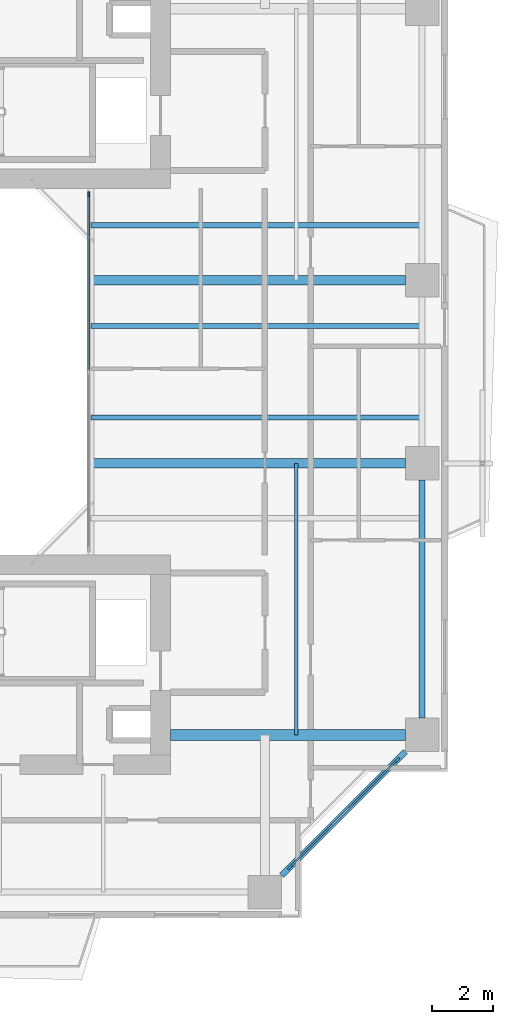
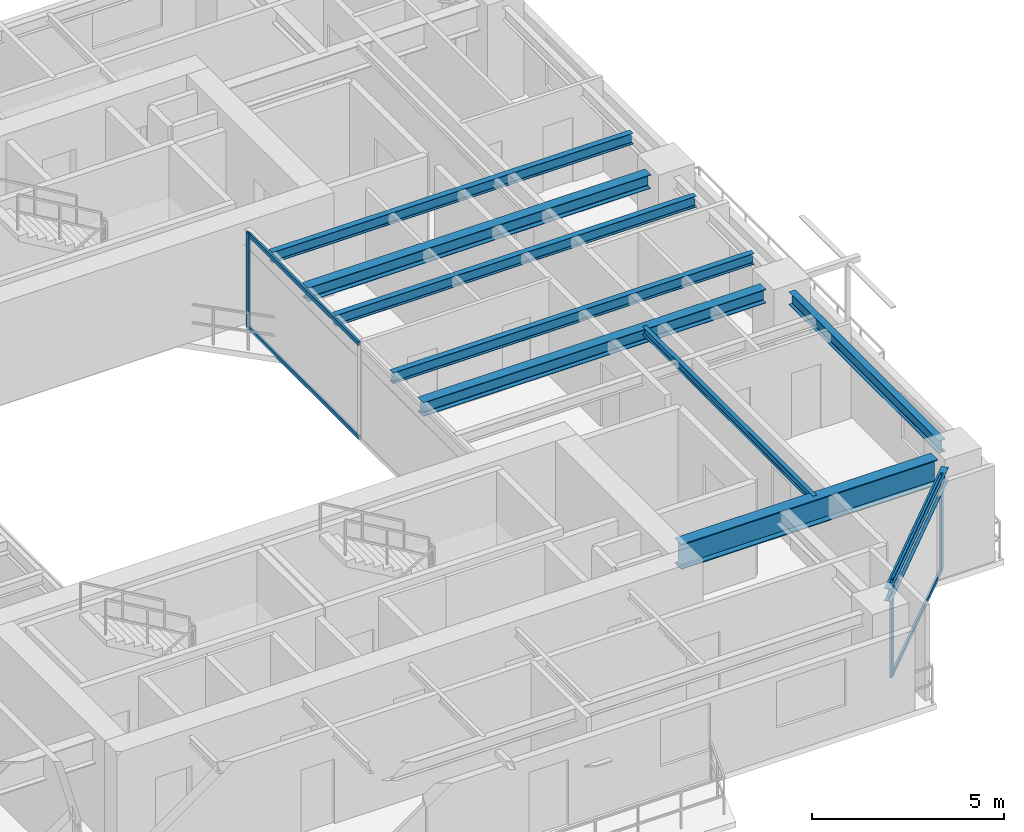
# One storey, part 6 of 16: 9 beams, 7 members, 2 elements without a shape of their own.
"""IFC4 building model written with IfcOpenShell, lengths in metres."""

from ifc_helpers import new_model, si_unit, direction, frame, origin, origin_2d, place, context, subcontext, project, spatial, rectangle, i_section, extrude, source, transform, mapped, material, layer, layer_set, material_profile, profile_set, type_object, element, aggregate, save


model = new_model("IFC4")

# Units and contexts
model_context = context("Model", 3, precision=1e-05, world=origin(), true_north=direction((0.0, 1.0)))
body_context = subcontext(model_context, "Body", "Model", "MODEL_VIEW")
ifc_project = project(units=[si_unit("LENGTHUNIT", "METRE"), si_unit("AREAUNIT", "SQUARE_METRE"), si_unit("VOLUMEUNIT", "CUBIC_METRE"), si_unit("PLANEANGLEUNIT", "RADIAN"), si_unit("MASSUNIT", "GRAM", prefix="KILO"), si_unit("THERMODYNAMICTEMPERATUREUNIT", "KELVIN"), si_unit("POWERUNIT", "WATT")], contexts=[model_context])

# Site, building, storey
site_placement = place(None, origin())
site = spatial("IfcSite", under=ifc_project, at=site_placement, CompositionType="ELEMENT")
building_placement = place(site_placement, origin())
building = spatial("IfcBuilding", under=site, at=building_placement, Name="Qiaomeng Ring Towers", CompositionType="ELEMENT")
storey_placement = place(building_placement, frame((0.0, 0.0, 136.0)))
storey = spatial("IfcBuildingStorey", under=building, at=storey_placement, Name="L39", CompositionType="ELEMENT", Elevation=136.0)

# Beams
ifc_material_1 = material(Name="Steel Q355B", Category="steel")
ifc_material_profile_1 = material_profile(ifc_material_1, i_section(OverallWidth=0.199951171875, OverallDepth=0.39990234375, WebThickness=0.008056640625, FlangeThickness=0.012939453125, FilletRadius=0.01611328125, at=origin_2d()), Name="HN 400x200x8x13")
ifc_profile_set_1 = profile_set([ifc_material_profile_1], Name="Steel Q355B")
beam_type_1 = type_object("IfcBeamType", Name="STR-BM-HN400", PredefinedType="SPANDREL", material=ifc_profile_set_1)
shared_shape_1 = source(origin(), body_context, "Body", "SweptSolid", [
    extrude(i_section(OverallWidth=0.199951171875, OverallDepth=0.39990234375, WebThickness=0.008056640625, FlangeThickness=0.012939453125, FilletRadius=0.01611328125, at=origin_2d()), origin(), (0.0, 0.0, 1.0), 5.729736328125),
])
beam_1_placement = place(storey_placement, frame((31.44921875, 6.499267578125, 2.830078125), z_axis=(0.707106781187, 0.707106781187, 0.0), x_axis=(-0.707106781187, 0.707106781187, 0.0)))
element("IfcBeam", 1, at=beam_1_placement, inside=storey, type_object=beam_type_1, Name="L39 beam STR-SP-L39-T1-S2-E1", PredefinedType="SPANDREL", context=body_context, shape_type="MappedRepresentation", body=[
    mapped(shared_shape_1, transform((0.0, 0.0, 0.0), x_axis=(1.0, 0.0, 0.0), y_axis=(0.0, 1.0, 0.0), z_axis=(0.0, 0.0, 1.0), scale=1.0)),
])
shared_shape_2 = source(origin(), body_context, "Body", "SweptSolid", [
    extrude(i_section(OverallWidth=0.199951171875, OverallDepth=0.39990234375, WebThickness=0.008056640625, FlangeThickness=0.012939453125, FilletRadius=0.01611328125, at=origin_2d()), origin(), (0.0, 0.0, 1.0), 7.802001953125),
])
beam_2_placement = place(storey_placement, frame((36.050048828125, 11.64892578125, 2.830078125), z_axis=(0.0, 1.0, 0.0), x_axis=(-1.0, 0.0, 0.0)))
element("IfcBeam", 2, at=beam_2_placement, inside=storey, type_object=beam_type_1, Name="L39 beam STR-SP-L39-T1-E1-E2", PredefinedType="SPANDREL", context=body_context, shape_type="MappedRepresentation", body=[
    mapped(shared_shape_2, transform((0.0, 0.0, 0.0), x_axis=(1.0, 0.0, 0.0), y_axis=(0.0, 1.0, 0.0), z_axis=(0.0, 0.0, 1.0), scale=1.0)),
])
ifc_material_2 = material(Name="Steel Q390GJC", Category="steel")
ifc_material_profile_2 = material_profile(ifc_material_2, i_section(OverallWidth=0.35009765625, OverallDepth=0.800048828125, WebThickness=0.01611328125, FlangeThickness=0.028076171875, at=origin_2d()), Name="WH 800x350x16x28")
ifc_profile_set_2 = profile_set([ifc_material_profile_2], Name="Steel Q390GJC")
beam_type_2 = type_object("IfcBeamType", Name="STR-BM-WH800", PredefinedType="BEAM", material=ifc_profile_set_2)
shared_shape_3 = source(origin(), body_context, "Body", "SweptSolid", [
    extrude(i_section(OverallWidth=0.35009765625, OverallDepth=0.800048828125, WebThickness=0.01611328125, FlangeThickness=0.028076171875, at=origin_2d()), origin(), (0.0, 0.0, 1.0), 7.700927734375),
])
beam_3_placement = place(storey_placement, frame((27.800048828125, 11.10009765625, 2.6298828125), z_axis=(1.0, 0.0, 0.0), x_axis=(0.0, 1.0, 0.0)))
element("IfcBeam", 3, at=beam_3_placement, inside=storey, type_object=beam_type_2, Name="L39 beam STR-BM-L39-T1-RAD-E1", PredefinedType="BEAM", context=body_context, shape_type="MappedRepresentation", body=[
    mapped(shared_shape_3, transform((0.0, 0.0, 0.0), x_axis=(1.0, 0.0, 0.0), y_axis=(0.0, 1.0, 0.0), z_axis=(0.0, 0.0, 1.0), scale=1.0)),
])
ifc_material_profile_3 = material_profile(ifc_material_1, i_section(OverallWidth=0.300048828125, OverallDepth=0.43994140625, WebThickness=0.010986328125, FlangeThickness=0.01806640625, FilletRadius=0.02392578125, at=origin_2d()), Name="HM 440x300x11x18")
ifc_profile_set_3 = profile_set([ifc_material_profile_3], Name="Steel Q355B")
beam_type_3 = type_object("IfcBeamType", Name="STR-BM-HM440", PredefinedType="BEAM", material=ifc_profile_set_3)
shared_shape_4 = source(origin(), body_context, "Body", "SweptSolid", [
    extrude(i_section(OverallWidth=0.300048828125, OverallDepth=0.43994140625, WebThickness=0.010986328125, FlangeThickness=0.01806640625, FilletRadius=0.02392578125, at=origin_2d()), origin(), (0.0, 0.0, 1.0), 10.301025390625),
])
for number, where, z_axis, x_axis, name in (
    (4, (25.199951171875, 20.0, 2.81005859375), (1.0, 0.0, 0.0), (0.0, 1.0, 0.0), "L39 beam STR-BM-L39-T1-RAD-E2"),
    (5, (25.199951171875, 26.0, 2.81005859375), (1.0, 0.0, 0.0), (0.0, 1.0, 0.0), "L39 beam STR-BM-L39-T1-RAD-E3"),
):
    element("IfcBeam", number, at=place(storey_placement, frame(where, z_axis=z_axis, x_axis=x_axis)), inside=storey, type_object=beam_type_3, Name=name, PredefinedType="BEAM", context=body_context, shape_type="MappedRepresentation", body=[
        mapped(shared_shape_4, transform((0.0, 0.0, 0.0), x_axis=(1.0, 0.0, 0.0), y_axis=(0.0, 1.0, 0.0), z_axis=(0.0, 0.0, 1.0), scale=1.0)),
    ])
ifc_material_profile_4 = material_profile(ifc_material_1, i_section(OverallWidth=0.175048828125, OverallDepth=0.35009765625, WebThickness=0.007080078125, FlangeThickness=0.010986328125, FilletRadius=0.013916015625, at=origin_2d()), Name="HN 350x175x7x11")
ifc_profile_set_4 = profile_set([ifc_material_profile_4], Name="Steel Q355B")
beam_type_4 = type_object("IfcBeamType", Name="STR-BM-HN350", PredefinedType="JOIST", material=ifc_profile_set_4)
shared_shape_5 = source(origin(), body_context, "Body", "SweptSolid", [
    extrude(i_section(OverallWidth=0.175048828125, OverallDepth=0.35009765625, WebThickness=0.007080078125, FlangeThickness=0.010986328125, FilletRadius=0.013916015625, at=origin_2d()), origin(), (0.0, 0.0, 1.0), 10.85009765625),
])
for number, where, z_axis, x_axis, name in (
    (6, (25.199951171875, 21.5, 2.85498046875), (1.0, 0.0, 0.0), (0.0, 1.0, 0.0), "L39 beam STR-JST-L39-T1E-2"),
    (7, (25.199951171875, 24.5, 2.85498046875), (1.0, 0.0, 0.0), (0.0, 1.0, 0.0), "L39 beam STR-JST-L39-T1E-3"),
    (8, (25.199951171875, 27.800048828125, 2.85498046875), (1.0, 0.0, 0.0), (0.0, 1.0, 0.0), "L39 beam STR-JST-L39-T1E-4"),
):
    element("IfcBeam", number, at=place(storey_placement, frame(where, z_axis=z_axis, x_axis=x_axis)), inside=storey, type_object=beam_type_4, Name=name, PredefinedType="JOIST", context=body_context, shape_type="MappedRepresentation", body=[
        mapped(shared_shape_5, transform((0.0, 0.0, 0.0), x_axis=(1.0, 0.0, 0.0), y_axis=(0.0, 1.0, 0.0), z_axis=(0.0, 0.0, 1.0), scale=1.0)),
    ])
ifc_material_profile_5 = material_profile(ifc_material_1, i_section(OverallWidth=0.125, OverallDepth=0.25, WebThickness=0.006103515625, FlangeThickness=0.009033203125, FilletRadius=0.011962890625, at=origin_2d()), Name="HN 250x125x6x9")
ifc_profile_set_5 = profile_set([ifc_material_profile_5], Name="Steel Q355B")
beam_type_5 = type_object("IfcBeamType", Name="STR-BM-HN250", PredefinedType="JOIST", material=ifc_profile_set_5)
shared_shape_6 = source(origin(), body_context, "Body", "SweptSolid", [
    extrude(i_section(OverallWidth=0.125, OverallDepth=0.25, WebThickness=0.006103515625, FlangeThickness=0.009033203125, FilletRadius=0.011962890625, at=origin_2d()), origin(), (0.0, 0.0, 1.0), 8.89990234375),
])
beam_4_placement = place(storey_placement, frame((31.925048828125, 11.10009765625, 2.905029296875), z_axis=(0.0, 1.0, 0.0), x_axis=(-1.0, 0.0, 0.0)))
element("IfcBeam", 9, at=beam_4_placement, inside=storey, type_object=beam_type_5, Name="L39 beam STR-JST-L39-T1C-ES", PredefinedType="JOIST", context=body_context, shape_type="MappedRepresentation", body=[
    mapped(shared_shape_6, transform((0.0, 0.0, 0.0), x_axis=(1.0, 0.0, 0.0), y_axis=(0.0, 1.0, 0.0), z_axis=(0.0, 0.0, 1.0), scale=1.0)),
])

# Curtain wall, members
ifc_material_3 = material(Name="Fluorocarbon dark-grey aluminium", Category="aluminium")
ifc_layer_1 = layer(ifc_material_3, 0.139892578125, Name="Fluorocarbon dark-grey aluminium")
ifc_layer_set_1 = layer_set([ifc_layer_1], Name="Fluorocarbon dark-grey aluminium")
curtain_wall_type_1 = type_object("IfcCurtainWallType", Name="ARC-CW-4", PredefinedType="NOTDEFINED", material=ifc_layer_set_1)
curtain_wall_1_placement = place(storey_placement, origin())
curtain_wall_1 = element("IfcCurtainWall", 10, at=curtain_wall_1_placement, inside=storey, type_object=curtain_wall_type_1, Name="L39 Curtain Wall CW4", PredefinedType="NOTDEFINED")
ifc_material_profile_6 = material_profile(ifc_material_3, rectangle(XDim=0.06494140625, YDim=0.1298828125, at=origin_2d()), Name="ALU TRAN 65x130")
ifc_profile_set_6 = profile_set([ifc_material_profile_6], Name="Fluorocarbon dark-grey aluminium")
member_type_1 = type_object("IfcMemberType", Name="ARC-CWT-120", PredefinedType="USERDEFINED", material=ifc_profile_set_6)
shared_shape_7 = source(origin(), body_context, "Body", "SweptSolid", [
    extrude(rectangle(XDim=0.06494140625, YDim=0.1298828125, at=origin_2d()), origin(), (0.0, 0.0, 1.0), 5.75244140625),
])
member_1_placement = place(storey_placement, frame((25.1201171875, 23.032470703125, 0.032470703125), z_axis=(0.0, 1.0, 0.0), x_axis=(-1.0, 0.0, 0.0)))
member_1 = element("IfcMember", 11, at=member_1_placement, type_object=member_type_1, Name="CW4 transom 2.1", ObjectType="TRANSOM", PredefinedType="USERDEFINED", context=body_context, shape_type="MappedRepresentation", body=[
    mapped(shared_shape_7, transform((0.0, 0.0, 0.0), x_axis=(1.0, 0.0, 0.0), y_axis=(0.0, 1.0, 0.0), z_axis=(0.0, 0.0, 1.0), scale=1.0)),
])
member_2_placement = place(storey_placement, frame((25.1201171875, 23.032470703125, 2.99755859375), z_axis=(0.0, 1.0, 0.0), x_axis=(-1.0, 0.0, 0.0)))
member_2 = element("IfcMember", 12, at=member_2_placement, type_object=member_type_1, Name="CW4 transom 2.2", ObjectType="TRANSOM", PredefinedType="USERDEFINED", context=body_context, shape_type="MappedRepresentation", body=[
    mapped(shared_shape_7, transform((0.0, 0.0, 0.0), x_axis=(1.0, 0.0, 0.0), y_axis=(0.0, 1.0, 0.0), z_axis=(0.0, 0.0, 1.0), scale=1.0)),
])
ifc_material_profile_7 = material_profile(ifc_material_3, rectangle(XDim=0.06494140625, YDim=0.159912109375, at=origin_2d()), Name="ALU MULL 65x160")
ifc_profile_set_7 = profile_set([ifc_material_profile_7], Name="Fluorocarbon dark-grey aluminium")
member_type_2 = type_object("IfcMemberType", Name="ARC-CWM-140", PredefinedType="MULLION", material=ifc_profile_set_7)
shared_shape_8 = source(origin(), body_context, "Body", "SweptSolid", [
    extrude(rectangle(XDim=0.06494140625, YDim=0.159912109375, at=origin_2d()), origin(), (0.0, 0.0, 1.0), 3.030029296875),
])
member_3_placement = place(storey_placement, frame((25.1201171875, 28.8173828125, 0.0), z_axis=(0.0, 0.0, 1.0), x_axis=(-1.0, 0.0, 0.0)))
member_3 = element("IfcMember", 13, at=member_3_placement, type_object=member_type_2, Name="CW4 mullion 3", PredefinedType="MULLION", context=body_context, shape_type="MappedRepresentation", body=[
    mapped(shared_shape_8, transform((0.0, 0.0, 0.0), x_axis=(1.0, 0.0, 0.0), y_axis=(0.0, 1.0, 0.0), z_axis=(0.0, 0.0, 1.0), scale=1.0)),
])
aggregate(curtain_wall_1, [member_3, member_1, member_2])

ifc_layer_2 = layer(ifc_material_3, 0.14990234375, Name="Fluorocarbon dark-grey aluminium")
ifc_layer_set_2 = layer_set([ifc_layer_2], Name="Fluorocarbon dark-grey aluminium")
curtain_wall_type_2 = type_object("IfcCurtainWallType", Name="ARC-CW-3", PredefinedType="NOTDEFINED", material=ifc_layer_set_2)
curtain_wall_2_placement = place(storey_placement, origin())
curtain_wall_2 = element("IfcCurtainWall", 14, at=curtain_wall_2_placement, inside=storey, type_object=curtain_wall_type_2, Name="L39 Curtain Wall CW3", PredefinedType="NOTDEFINED")
ifc_material_profile_8 = material_profile(ifc_material_3, rectangle(XDim=0.070068359375, YDim=0.179931640625, at=origin_2d()), Name="ALU MULL 70x180")
ifc_profile_set_8 = profile_set([ifc_material_profile_8], Name="Fluorocarbon dark-grey aluminium")
member_type_3 = type_object("IfcMemberType", Name="ARC-CWM-160", PredefinedType="MULLION", material=ifc_profile_set_8)
shared_shape_9 = source(origin(), body_context, "Body", "SweptSolid", [
    extrude(rectangle(XDim=0.070068359375, YDim=0.179931640625, at=origin_2d()), origin(), (0.0, 0.0, 1.0), 3.030029296875),
])
member_4_placement = place(storey_placement, frame((31.71484375, 6.7646484375, 0.0), z_axis=(0.0, 0.0, 1.0), x_axis=(-0.707106781187, 0.707106781187, 0.0)))
member_4 = element("IfcMember", 15, at=member_4_placement, type_object=member_type_3, Name="CW3 mullion 1", PredefinedType="MULLION", context=body_context, shape_type="MappedRepresentation", body=[
    mapped(shared_shape_9, transform((0.0, 0.0, 0.0), x_axis=(1.0, 0.0, 0.0), y_axis=(0.0, 1.0, 0.0), z_axis=(0.0, 0.0, 1.0), scale=1.0)),
])
member_5_placement = place(storey_placement, frame((35.2353515625, 10.28515625, 0.0), z_axis=(0.0, 0.0, 1.0), x_axis=(-0.707106781187, 0.707106781187, 0.0)))
member_5 = element("IfcMember", 16, at=member_5_placement, type_object=member_type_3, Name="CW3 mullion 2", PredefinedType="MULLION", context=body_context, shape_type="MappedRepresentation", body=[
    mapped(shared_shape_9, transform((0.0, 0.0, 0.0), x_axis=(1.0, 0.0, 0.0), y_axis=(0.0, 1.0, 0.0), z_axis=(0.0, 0.0, 1.0), scale=1.0)),
])
shared_shape_10 = source(origin(), body_context, "Body", "SweptSolid", [
    extrude(rectangle(XDim=0.06494140625, YDim=0.1298828125, at=origin_2d()), origin(), (0.0, 0.0, 1.0), 4.90869140625),
])
member_6_placement = place(storey_placement, frame((31.739501953125, 6.78955078125, 0.032470703125), z_axis=(0.707106781187, 0.707106781187, 0.0), x_axis=(-0.707106781187, 0.707106781187, 0.0)))
member_6 = element("IfcMember", 17, at=member_6_placement, type_object=member_type_1, Name="CW3 transom 1.1", ObjectType="TRANSOM", PredefinedType="USERDEFINED", context=body_context, shape_type="MappedRepresentation", body=[
    mapped(shared_shape_10, transform((0.0, 0.0, 0.0), x_axis=(1.0, 0.0, 0.0), y_axis=(0.0, 1.0, 0.0), z_axis=(0.0, 0.0, 1.0), scale=1.0)),
])
member_7_placement = place(storey_placement, frame((31.739501953125, 6.78955078125, 2.99755859375), z_axis=(0.707106781187, 0.707106781187, 0.0), x_axis=(-0.707106781187, 0.707106781187, 0.0)))
member_7 = element("IfcMember", 18, at=member_7_placement, type_object=member_type_1, Name="CW3 transom 1.2", ObjectType="TRANSOM", PredefinedType="USERDEFINED", context=body_context, shape_type="MappedRepresentation", body=[
    mapped(shared_shape_10, transform((0.0, 0.0, 0.0), x_axis=(1.0, 0.0, 0.0), y_axis=(0.0, 1.0, 0.0), z_axis=(0.0, 0.0, 1.0), scale=1.0)),
])
aggregate(curtain_wall_2, [member_4, member_5, member_6, member_7])

save(model, "model.ifc")
